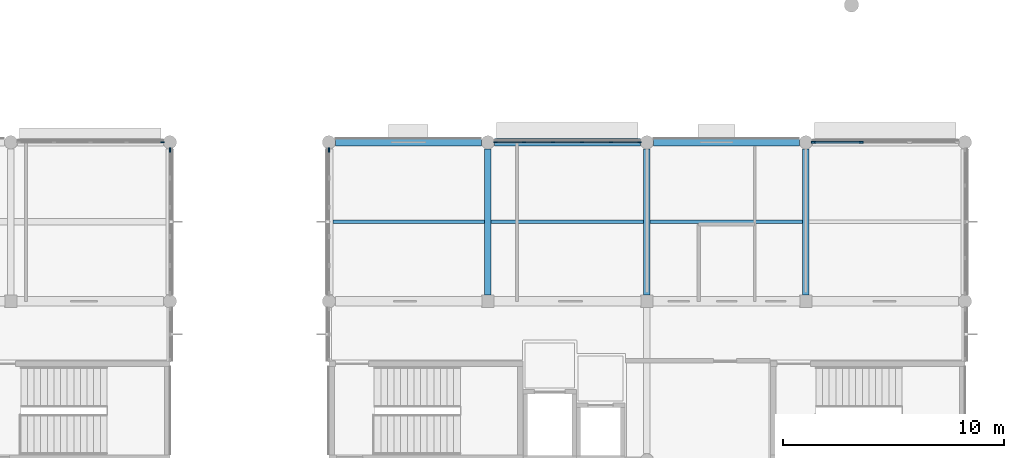
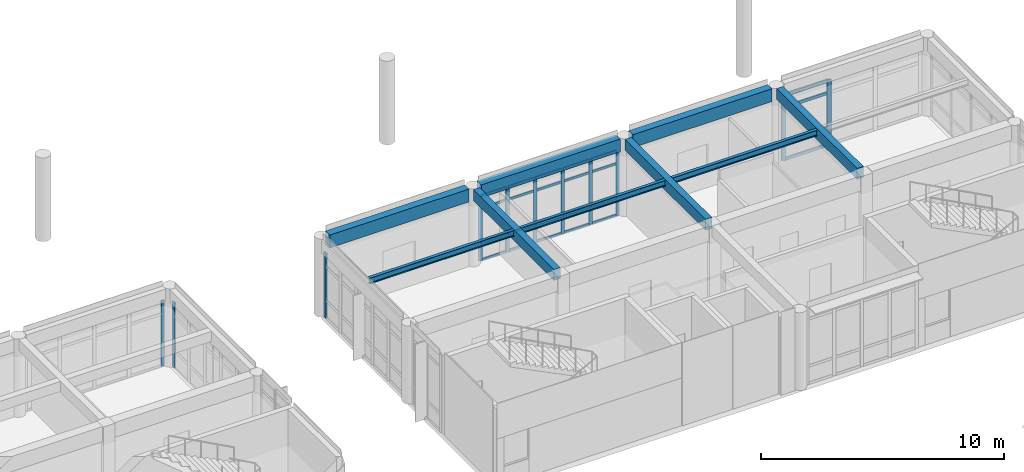
# One storey, part 7 of 29: 35 members, 9 beams, 5 elements without a shape of their own.
"""IFC4 building model written with IfcOpenShell, lengths in metres."""

from ifc_helpers import new_model, si_unit, direction, frame, origin, origin_2d, place, context, subcontext, project, spatial, rectangle, i_section, extrude, material, layer, layer_set, material_profile, profile_set, type_object, element, aggregate, save


model = new_model("IFC4")

# Units and contexts
model_context = context("Model", 3, precision=1e-05, world=origin(), true_north=direction((0.0, 1.0)))
body_context = subcontext(model_context, "Body", "Model", "MODEL_VIEW")
ifc_project = project(units=[si_unit("LENGTHUNIT", "METRE"), si_unit("AREAUNIT", "SQUARE_METRE"), si_unit("VOLUMEUNIT", "CUBIC_METRE"), si_unit("PLANEANGLEUNIT", "RADIAN"), si_unit("MASSUNIT", "GRAM", prefix="KILO")], contexts=[model_context])

# Site, building, storey
site_placement = place(None, origin())
site = spatial("IfcSite", under=ifc_project, at=site_placement, CompositionType="ELEMENT")
building_placement = place(site_placement, origin())
building = spatial("IfcBuilding", under=site, at=building_placement, Name="Namkhue Oval Health Centre", CompositionType="ELEMENT")
storey_placement = place(building_placement, frame((0.0, 0.0, 18.0)))
storey = spatial("IfcBuildingStorey", under=building, at=storey_placement, Name="L04", CompositionType="ELEMENT", Elevation=18.0)

# Curtain wall, member
ifc_material_1 = material(Name="Anodised aluminium EN AW-6063 T6", Category="aluminium")
ifc_layer_1 = layer(ifc_material_1, 0.159912109375)
ifc_layer_set_1 = layer_set([ifc_layer_1], Name="Anodised aluminium EN AW-6063 T6")
curtain_wall_type_1 = type_object("IfcCurtainWallType", Name="UNITISED CURTAIN WALL M1500", PredefinedType="NOTDEFINED", material=ifc_layer_set_1)
curtain_wall_1_placement = place(storey_placement, origin())
curtain_wall_1 = element("IfcCurtainWall", 1, at=curtain_wall_1_placement, inside=storey, type_object=curtain_wall_type_1, Name="Volume V2 L04 Unitised Curtain Wall 81", PredefinedType="NOTDEFINED")
ifc_material_profile_1 = material_profile(ifc_material_1, rectangle(XDim=0.06494140625, YDim=0.159912109375, at=origin_2d()), Name="ALU 65x160")
ifc_profile_set_1 = profile_set([ifc_material_profile_1], Name="Anodised aluminium EN AW-6063 T6")
member_type_1 = type_object("IfcMemberType", Name="CURTAIN WALL MULLION 65X160", PredefinedType="MULLION", material=ifc_profile_set_1)
member_1_placement = place(storey_placement, frame((86.0576171875, 104.39990234375, 0.0), z_axis=(0.0, 0.0, 1.0), x_axis=(0.0, -1.0, 0.0)))
member_1 = element("IfcMember", 2, at=member_1_placement, type_object=member_type_1, Name="CW-03 mullion 1", PredefinedType="MULLION", context=body_context, shape_type="SweptSolid", body=[
    extrude(rectangle(XDim=0.06494140625, YDim=0.159912109375, at=origin_2d()), origin(), (0.0, 0.0, 1.0), 3.2900390625),
])
aggregate(curtain_wall_1, [member_1])

# Curtain wall, members
ifc_layer_2 = layer(ifc_material_1, 0.159912109375)
ifc_layer_set_2 = layer_set([ifc_layer_2], Name="Anodised aluminium EN AW-6063 T6")
curtain_wall_type_2 = type_object("IfcCurtainWallType", Name="UNITISED CURTAIN WALL M1200", PredefinedType="NOTDEFINED", material=ifc_layer_set_2)
curtain_wall_2_placement = place(storey_placement, origin())
curtain_wall_2 = element("IfcCurtainWall", 3, at=curtain_wall_2_placement, inside=storey, type_object=curtain_wall_type_2, Name="Volume V3 L04 Unitised Curtain Wall 127", PredefinedType="NOTDEFINED")
member_2_placement = place(storey_placement, frame((107.657470703125, 104.39990234375, 0.0), z_axis=(0.0, 0.0, 1.0), x_axis=(0.0, -1.0, 0.0)))
member_2 = element("IfcMember", 4, at=member_2_placement, type_object=member_type_1, Name="CW-01 mullion 1", PredefinedType="MULLION", context=body_context, shape_type="SweptSolid", body=[
    extrude(rectangle(XDim=0.06494140625, YDim=0.159912109375, at=origin_2d()), origin(), (0.0, 0.0, 1.0), 3.264892578125),
])
member_3_placement = place(storey_placement, frame((106.3740234375, 104.39990234375, 0.0), z_axis=(0.0, 0.0, 1.0), x_axis=(0.0, -1.0, 0.0)))
member_3 = element("IfcMember", 5, at=member_3_placement, type_object=member_type_1, Name="CW-01 mullion 2", PredefinedType="MULLION", context=body_context, shape_type="SweptSolid", body=[
    extrude(rectangle(XDim=0.06494140625, YDim=0.159912109375, at=origin_2d()), origin(), (0.0, 0.0, 1.0), 3.264892578125),
])
member_4_placement = place(storey_placement, frame((105.05810546875, 104.39990234375, 0.0), z_axis=(0.0, 0.0, 1.0), x_axis=(0.0, -1.0, 0.0)))
member_4 = element("IfcMember", 6, at=member_4_placement, type_object=member_type_1, Name="CW-01 mullion 3", PredefinedType="MULLION", context=body_context, shape_type="SweptSolid", body=[
    extrude(rectangle(XDim=0.06494140625, YDim=0.159912109375, at=origin_2d()), origin(), (0.0, 0.0, 1.0), 3.264892578125),
])
member_5_placement = place(storey_placement, frame((103.741943359375, 104.39990234375, 0.0), z_axis=(0.0, 0.0, 1.0), x_axis=(0.0, -1.0, 0.0)))
member_5 = element("IfcMember", 7, at=member_5_placement, type_object=member_type_1, Name="CW-01 mullion 4", PredefinedType="MULLION", context=body_context, shape_type="SweptSolid", body=[
    extrude(rectangle(XDim=0.06494140625, YDim=0.159912109375, at=origin_2d()), origin(), (0.0, 0.0, 1.0), 3.264892578125),
])
member_6_placement = place(storey_placement, frame((102.426025390625, 104.39990234375, 0.0), z_axis=(0.0, 0.0, 1.0), x_axis=(0.0, -1.0, 0.0)))
member_6 = element("IfcMember", 8, at=member_6_placement, type_object=member_type_1, Name="CW-01 mullion 5", PredefinedType="MULLION", context=body_context, shape_type="SweptSolid", body=[
    extrude(rectangle(XDim=0.06494140625, YDim=0.159912109375, at=origin_2d()), origin(), (0.0, 0.0, 1.0), 3.264892578125),
])
member_7_placement = place(storey_placement, frame((101.142578125, 104.39990234375, 0.0), z_axis=(0.0, 0.0, 1.0), x_axis=(0.0, -1.0, 0.0)))
member_7 = element("IfcMember", 9, at=member_7_placement, type_object=member_type_1, Name="CW-01 mullion 6", PredefinedType="MULLION", context=body_context, shape_type="SweptSolid", body=[
    extrude(rectangle(XDim=0.06494140625, YDim=0.159912109375, at=origin_2d()), origin(), (0.0, 0.0, 1.0), 3.264892578125),
])

# Curtain wall, member
ifc_layer_3 = layer(ifc_material_1, 0.159912109375)
ifc_layer_set_3 = layer_set([ifc_layer_3], Name="Anodised aluminium EN AW-6063 T6")
curtain_wall_type_3 = type_object("IfcCurtainWallType", Name="UNITISED CURTAIN WALL M1350", PredefinedType="NOTDEFINED", material=ifc_layer_set_3)
curtain_wall_3_placement = place(storey_placement, origin())
curtain_wall_3 = element("IfcCurtainWall", 10, at=curtain_wall_3_placement, inside=storey, type_object=curtain_wall_type_3, Name="Volume V2 L04 Unitised Curtain Wall 80", PredefinedType="NOTDEFINED")
ifc_material_profile_2 = material_profile(ifc_material_1, rectangle(XDim=0.074951171875, YDim=0.199951171875, at=origin_2d()), Name="ALU 75x200")
ifc_profile_set_2 = profile_set([ifc_material_profile_2], Name="Anodised aluminium EN AW-6063 T6")
member_type_2 = type_object("IfcMemberType", Name="CURTAIN WALL MULLION 75X200", PredefinedType="MULLION", material=ifc_profile_set_2)
member_8_placement = place(storey_placement, frame((86.39990234375, 104.052490234375, 0.0), z_axis=(0.0, 0.0, 1.0), x_axis=(-1.0, 0.0, 0.0)))
member_8 = element("IfcMember", 11, at=member_8_placement, type_object=member_type_2, Name="CW-02 mullion 6", PredefinedType="MULLION", context=body_context, shape_type="SweptSolid", body=[
    extrude(rectangle(XDim=0.074951171875, YDim=0.199951171875, at=origin_2d()), origin(), (0.0, 0.0, 1.0), 3.2900390625),
])
aggregate(curtain_wall_3, [member_8])

# Curtain wall, members
ifc_layer_4 = layer(ifc_material_1, 0.159912109375)
ifc_layer_set_4 = layer_set([ifc_layer_4], Name="Anodised aluminium EN AW-6063 T6")
curtain_wall_type_4 = type_object("IfcCurtainWallType", Name="UNITISED CURTAIN WALL M2000", PredefinedType="NOTDEFINED", material=ifc_layer_set_4)
curtain_wall_4_placement = place(storey_placement, origin())
curtain_wall_4 = element("IfcCurtainWall", 12, at=curtain_wall_4_placement, inside=storey, type_object=curtain_wall_type_4, Name="Volume V3 L04 Unitised Curtain Wall 126", PredefinedType="NOTDEFINED")
member_9_placement = place(storey_placement, frame((117.703369140625, 104.39990234375, 0.0), z_axis=(0.0, 0.0, 1.0), x_axis=(0.0, -1.0, 0.0)))
member_9 = element("IfcMember", 13, at=member_9_placement, type_object=member_type_2, Name="CW-06 mullion 3", PredefinedType="MULLION", context=body_context, shape_type="SweptSolid", body=[
    extrude(rectangle(XDim=0.074951171875, YDim=0.199951171875, at=origin_2d()), origin(), (0.0, 0.0, 1.0), 3.302001953125),
])
member_10_placement = place(storey_placement, frame((115.547607421875, 104.39990234375, 0.0), z_axis=(0.0, 0.0, 1.0), x_axis=(0.0, -1.0, 0.0)))
member_10 = element("IfcMember", 14, at=member_10_placement, type_object=member_type_2, Name="CW-06 mullion 4", PredefinedType="MULLION", context=body_context, shape_type="SweptSolid", body=[
    extrude(rectangle(XDim=0.074951171875, YDim=0.199951171875, at=origin_2d()), origin(), (0.0, 0.0, 1.0), 3.302001953125),
])

# Curtain wall, member
curtain_wall_5_placement = place(storey_placement, origin())
curtain_wall_5 = element("IfcCurtainWall", 15, at=curtain_wall_5_placement, inside=storey, type_object=curtain_wall_type_3, Name="Volume V3 L04 Unitised Curtain Wall 128", PredefinedType="NOTDEFINED")
member_11_placement = place(storey_placement, frame((93.60009765625, 104.052490234375, 0.0), z_axis=(0.0, 0.0, 1.0), x_axis=(1.0, 0.0, 0.0)))
member_11 = element("IfcMember", 16, at=member_11_placement, type_object=member_type_2, Name="CW-02 mullion 1", PredefinedType="MULLION", context=body_context, shape_type="SweptSolid", body=[
    extrude(rectangle(XDim=0.074951171875, YDim=0.199951171875, at=origin_2d()), origin(), (0.0, 0.0, 1.0), 3.264892578125),
])
aggregate(curtain_wall_5, [member_11])

# Member
ifc_material_profile_3 = material_profile(ifc_material_1, rectangle(XDim=0.06494140625, YDim=0.1201171875, at=origin_2d()), Name="ALU 65x120")
ifc_profile_set_3 = profile_set([ifc_material_profile_3], Name="Anodised aluminium EN AW-6063 T6")
member_type_3 = type_object("IfcMemberType", Name="CURTAIN WALL TRANSOM 65X120", PredefinedType="USERDEFINED", material=ifc_profile_set_3)
member_12_placement = place(storey_placement, frame((107.625, 104.39990234375, 0.032470703125), z_axis=(-1.0, 0.0, 0.0), x_axis=(0.0, -1.0, 0.0)))
member_12 = element("IfcMember", 17, at=member_12_placement, type_object=member_type_3, Name="CW-01 transom 1.1", ObjectType="TRANSOM", PredefinedType="USERDEFINED", context=body_context, shape_type="SweptSolid", body=[
    extrude(rectangle(XDim=0.06494140625, YDim=0.1201171875, at=origin_2d()), origin(), (0.0, 0.0, 1.0), 1.218505859375),
])

member_13_placement = place(storey_placement, frame((107.625, 104.39990234375, 0.89990234375), z_axis=(-1.0, 0.0, 0.0), x_axis=(0.0, -1.0, 0.0)))
member_13 = element("IfcMember", 18, at=member_13_placement, type_object=member_type_3, Name="CW-01 transom 1.2", ObjectType="TRANSOM", PredefinedType="USERDEFINED", context=body_context, shape_type="SweptSolid", body=[
    extrude(rectangle(XDim=0.06494140625, YDim=0.1201171875, at=origin_2d()), origin(), (0.0, 0.0, 1.0), 1.218505859375),
])

member_14_placement = place(storey_placement, frame((107.625, 104.39990234375, 2.614990234375), z_axis=(-1.0, 0.0, 0.0), x_axis=(0.0, -1.0, 0.0)))
member_14 = element("IfcMember", 19, at=member_14_placement, type_object=member_type_3, Name="CW-01 transom 1.3", ObjectType="TRANSOM", PredefinedType="USERDEFINED", context=body_context, shape_type="SweptSolid", body=[
    extrude(rectangle(XDim=0.06494140625, YDim=0.1201171875, at=origin_2d()), origin(), (0.0, 0.0, 1.0), 1.218505859375),
])

member_15_placement = place(storey_placement, frame((107.625, 104.39990234375, 3.232421875), z_axis=(-1.0, 0.0, 0.0), x_axis=(0.0, -1.0, 0.0)))
member_15 = element("IfcMember", 20, at=member_15_placement, type_object=member_type_3, Name="CW-01 transom 1.4", ObjectType="TRANSOM", PredefinedType="USERDEFINED", context=body_context, shape_type="SweptSolid", body=[
    extrude(rectangle(XDim=0.06494140625, YDim=0.1201171875, at=origin_2d()), origin(), (0.0, 0.0, 1.0), 1.218505859375),
])

member_16_placement = place(storey_placement, frame((106.341552734375, 104.39990234375, 0.032470703125), z_axis=(-1.0, 0.0, 0.0), x_axis=(0.0, -1.0, 0.0)))
member_16 = element("IfcMember", 21, at=member_16_placement, type_object=member_type_3, Name="CW-01 transom 2.1", ObjectType="TRANSOM", PredefinedType="USERDEFINED", context=body_context, shape_type="SweptSolid", body=[
    extrude(rectangle(XDim=0.06494140625, YDim=0.1201171875, at=origin_2d()), origin(), (0.0, 0.0, 1.0), 1.2509765625),
])

member_17_placement = place(storey_placement, frame((106.341552734375, 104.39990234375, 0.89990234375), z_axis=(-1.0, 0.0, 0.0), x_axis=(0.0, -1.0, 0.0)))
member_17 = element("IfcMember", 22, at=member_17_placement, type_object=member_type_3, Name="CW-01 transom 2.2", ObjectType="TRANSOM", PredefinedType="USERDEFINED", context=body_context, shape_type="SweptSolid", body=[
    extrude(rectangle(XDim=0.06494140625, YDim=0.1201171875, at=origin_2d()), origin(), (0.0, 0.0, 1.0), 1.2509765625),
])

member_18_placement = place(storey_placement, frame((106.341552734375, 104.39990234375, 2.614990234375), z_axis=(-1.0, 0.0, 0.0), x_axis=(0.0, -1.0, 0.0)))
member_18 = element("IfcMember", 23, at=member_18_placement, type_object=member_type_3, Name="CW-01 transom 2.3", ObjectType="TRANSOM", PredefinedType="USERDEFINED", context=body_context, shape_type="SweptSolid", body=[
    extrude(rectangle(XDim=0.06494140625, YDim=0.1201171875, at=origin_2d()), origin(), (0.0, 0.0, 1.0), 1.2509765625),
])

member_19_placement = place(storey_placement, frame((106.341552734375, 104.39990234375, 3.232421875), z_axis=(-1.0, 0.0, 0.0), x_axis=(0.0, -1.0, 0.0)))
member_19 = element("IfcMember", 24, at=member_19_placement, type_object=member_type_3, Name="CW-01 transom 2.4", ObjectType="TRANSOM", PredefinedType="USERDEFINED", context=body_context, shape_type="SweptSolid", body=[
    extrude(rectangle(XDim=0.06494140625, YDim=0.1201171875, at=origin_2d()), origin(), (0.0, 0.0, 1.0), 1.2509765625),
])

member_20_placement = place(storey_placement, frame((105.025390625, 104.39990234375, 0.032470703125), z_axis=(-1.0, 0.0, 0.0), x_axis=(0.0, -1.0, 0.0)))
member_20 = element("IfcMember", 25, at=member_20_placement, type_object=member_type_3, Name="CW-01 transom 3.1", ObjectType="TRANSOM", PredefinedType="USERDEFINED", context=body_context, shape_type="SweptSolid", body=[
    extrude(rectangle(XDim=0.06494140625, YDim=0.1201171875, at=origin_2d()), origin(), (0.0, 0.0, 1.0), 1.2509765625),
])

member_21_placement = place(storey_placement, frame((105.025390625, 104.39990234375, 0.89990234375), z_axis=(-1.0, 0.0, 0.0), x_axis=(0.0, -1.0, 0.0)))
member_21 = element("IfcMember", 26, at=member_21_placement, type_object=member_type_3, Name="CW-01 transom 3.2", ObjectType="TRANSOM", PredefinedType="USERDEFINED", context=body_context, shape_type="SweptSolid", body=[
    extrude(rectangle(XDim=0.06494140625, YDim=0.1201171875, at=origin_2d()), origin(), (0.0, 0.0, 1.0), 1.2509765625),
])

member_22_placement = place(storey_placement, frame((105.025390625, 104.39990234375, 2.614990234375), z_axis=(-1.0, 0.0, 0.0), x_axis=(0.0, -1.0, 0.0)))
member_22 = element("IfcMember", 27, at=member_22_placement, type_object=member_type_3, Name="CW-01 transom 3.3", ObjectType="TRANSOM", PredefinedType="USERDEFINED", context=body_context, shape_type="SweptSolid", body=[
    extrude(rectangle(XDim=0.06494140625, YDim=0.1201171875, at=origin_2d()), origin(), (0.0, 0.0, 1.0), 1.2509765625),
])

member_23_placement = place(storey_placement, frame((105.025390625, 104.39990234375, 3.232421875), z_axis=(-1.0, 0.0, 0.0), x_axis=(0.0, -1.0, 0.0)))
member_23 = element("IfcMember", 28, at=member_23_placement, type_object=member_type_3, Name="CW-01 transom 3.4", ObjectType="TRANSOM", PredefinedType="USERDEFINED", context=body_context, shape_type="SweptSolid", body=[
    extrude(rectangle(XDim=0.06494140625, YDim=0.1201171875, at=origin_2d()), origin(), (0.0, 0.0, 1.0), 1.2509765625),
])

member_24_placement = place(storey_placement, frame((103.70947265625, 104.39990234375, 0.032470703125), z_axis=(-1.0, 0.0, 0.0), x_axis=(0.0, -1.0, 0.0)))
member_24 = element("IfcMember", 29, at=member_24_placement, type_object=member_type_3, Name="CW-01 transom 4.1", ObjectType="TRANSOM", PredefinedType="USERDEFINED", context=body_context, shape_type="SweptSolid", body=[
    extrude(rectangle(XDim=0.06494140625, YDim=0.1201171875, at=origin_2d()), origin(), (0.0, 0.0, 1.0), 1.2509765625),
])

member_25_placement = place(storey_placement, frame((103.70947265625, 104.39990234375, 0.89990234375), z_axis=(-1.0, 0.0, 0.0), x_axis=(0.0, -1.0, 0.0)))
member_25 = element("IfcMember", 30, at=member_25_placement, type_object=member_type_3, Name="CW-01 transom 4.2", ObjectType="TRANSOM", PredefinedType="USERDEFINED", context=body_context, shape_type="SweptSolid", body=[
    extrude(rectangle(XDim=0.06494140625, YDim=0.1201171875, at=origin_2d()), origin(), (0.0, 0.0, 1.0), 1.2509765625),
])

member_26_placement = place(storey_placement, frame((103.70947265625, 104.39990234375, 2.614990234375), z_axis=(-1.0, 0.0, 0.0), x_axis=(0.0, -1.0, 0.0)))
member_26 = element("IfcMember", 31, at=member_26_placement, type_object=member_type_3, Name="CW-01 transom 4.3", ObjectType="TRANSOM", PredefinedType="USERDEFINED", context=body_context, shape_type="SweptSolid", body=[
    extrude(rectangle(XDim=0.06494140625, YDim=0.1201171875, at=origin_2d()), origin(), (0.0, 0.0, 1.0), 1.2509765625),
])

member_27_placement = place(storey_placement, frame((103.70947265625, 104.39990234375, 3.232421875), z_axis=(-1.0, 0.0, 0.0), x_axis=(0.0, -1.0, 0.0)))
member_27 = element("IfcMember", 32, at=member_27_placement, type_object=member_type_3, Name="CW-01 transom 4.4", ObjectType="TRANSOM", PredefinedType="USERDEFINED", context=body_context, shape_type="SweptSolid", body=[
    extrude(rectangle(XDim=0.06494140625, YDim=0.1201171875, at=origin_2d()), origin(), (0.0, 0.0, 1.0), 1.2509765625),
])

member_28_placement = place(storey_placement, frame((102.3935546875, 104.39990234375, 0.032470703125), z_axis=(-1.0, 0.0, 0.0), x_axis=(0.0, -1.0, 0.0)))
member_28 = element("IfcMember", 33, at=member_28_placement, type_object=member_type_3, Name="CW-01 transom 5.1", ObjectType="TRANSOM", PredefinedType="USERDEFINED", context=body_context, shape_type="SweptSolid", body=[
    extrude(rectangle(XDim=0.06494140625, YDim=0.1201171875, at=origin_2d()), origin(), (0.0, 0.0, 1.0), 1.218505859375),
])

member_29_placement = place(storey_placement, frame((102.3935546875, 104.39990234375, 0.89990234375), z_axis=(-1.0, 0.0, 0.0), x_axis=(0.0, -1.0, 0.0)))
member_29 = element("IfcMember", 34, at=member_29_placement, type_object=member_type_3, Name="CW-01 transom 5.2", ObjectType="TRANSOM", PredefinedType="USERDEFINED", context=body_context, shape_type="SweptSolid", body=[
    extrude(rectangle(XDim=0.06494140625, YDim=0.1201171875, at=origin_2d()), origin(), (0.0, 0.0, 1.0), 1.218505859375),
])

member_30_placement = place(storey_placement, frame((102.3935546875, 104.39990234375, 2.614990234375), z_axis=(-1.0, 0.0, 0.0), x_axis=(0.0, -1.0, 0.0)))
member_30 = element("IfcMember", 35, at=member_30_placement, type_object=member_type_3, Name="CW-01 transom 5.3", ObjectType="TRANSOM", PredefinedType="USERDEFINED", context=body_context, shape_type="SweptSolid", body=[
    extrude(rectangle(XDim=0.06494140625, YDim=0.1201171875, at=origin_2d()), origin(), (0.0, 0.0, 1.0), 1.218505859375),
])

member_31_placement = place(storey_placement, frame((102.3935546875, 104.39990234375, 3.232421875), z_axis=(-1.0, 0.0, 0.0), x_axis=(0.0, -1.0, 0.0)))
member_31 = element("IfcMember", 36, at=member_31_placement, type_object=member_type_3, Name="CW-01 transom 5.4", ObjectType="TRANSOM", PredefinedType="USERDEFINED", context=body_context, shape_type="SweptSolid", body=[
    extrude(rectangle(XDim=0.06494140625, YDim=0.1201171875, at=origin_2d()), origin(), (0.0, 0.0, 1.0), 1.218505859375),
])

aggregate(curtain_wall_2, [member_2, member_3, member_4, member_5, member_6, member_7, member_12, member_13, member_14, member_15, member_16, member_17, member_18, member_19, member_20, member_21, member_22, member_23, member_24, member_25, member_26, member_27, member_28, member_29, member_30, member_31])

ifc_material_profile_4 = material_profile(ifc_material_1, rectangle(XDim=0.074951171875, YDim=0.14990234375, at=origin_2d()), Name="ALU 75x150")
ifc_profile_set_4 = profile_set([ifc_material_profile_4], Name="Anodised aluminium EN AW-6063 T6")
member_type_4 = type_object("IfcMemberType", Name="CURTAIN WALL TRANSOM 75X150", PredefinedType="USERDEFINED", material=ifc_profile_set_4)
member_32_placement = place(storey_placement, frame((117.665771484375, 104.39990234375, 0.03759765625), z_axis=(-1.0, 0.0, 0.0), x_axis=(0.0, -1.0, 0.0)))
member_32 = element("IfcMember", 37, at=member_32_placement, type_object=member_type_4, Name="CW-06 transom 3.1", ObjectType="TRANSOM", PredefinedType="USERDEFINED", context=body_context, shape_type="SweptSolid", body=[
    extrude(rectangle(XDim=0.074951171875, YDim=0.14990234375, at=origin_2d()), origin(), (0.0, 0.0, 1.0), 2.080810546875),
])

member_33_placement = place(storey_placement, frame((117.665771484375, 104.39990234375, 0.89990234375), z_axis=(-1.0, 0.0, 0.0), x_axis=(0.0, -1.0, 0.0)))
member_33 = element("IfcMember", 38, at=member_33_placement, type_object=member_type_4, Name="CW-06 transom 3.2", ObjectType="TRANSOM", PredefinedType="USERDEFINED", context=body_context, shape_type="SweptSolid", body=[
    extrude(rectangle(XDim=0.074951171875, YDim=0.14990234375, at=origin_2d()), origin(), (0.0, 0.0, 1.0), 2.080810546875),
])

member_34_placement = place(storey_placement, frame((117.665771484375, 104.39990234375, 2.652099609375), z_axis=(-1.0, 0.0, 0.0), x_axis=(0.0, -1.0, 0.0)))
member_34 = element("IfcMember", 39, at=member_34_placement, type_object=member_type_4, Name="CW-06 transom 3.3", ObjectType="TRANSOM", PredefinedType="USERDEFINED", context=body_context, shape_type="SweptSolid", body=[
    extrude(rectangle(XDim=0.074951171875, YDim=0.14990234375, at=origin_2d()), origin(), (0.0, 0.0, 1.0), 2.080810546875),
])

member_35_placement = place(storey_placement, frame((117.665771484375, 104.39990234375, 3.264404296875), z_axis=(-1.0, 0.0, 0.0), x_axis=(0.0, -1.0, 0.0)))
member_35 = element("IfcMember", 40, at=member_35_placement, type_object=member_type_4, Name="CW-06 transom 3.4", ObjectType="TRANSOM", PredefinedType="USERDEFINED", context=body_context, shape_type="SweptSolid", body=[
    extrude(rectangle(XDim=0.074951171875, YDim=0.14990234375, at=origin_2d()), origin(), (0.0, 0.0, 1.0), 2.080810546875),
])

aggregate(curtain_wall_4, [member_9, member_10, member_32, member_33, member_34, member_35])

# Beams
ifc_material_2 = material(Name="Reinforced concrete C30/37 (TCVN B35)", Category="concrete")
ifc_material_profile_5 = material_profile(ifc_material_2, rectangle(XDim=0.300048828125, YDim=0.550048828125, at=origin_2d()), Name="RC 300x550")
ifc_profile_set_5 = profile_set([ifc_material_profile_5], Name="Reinforced concrete C30/37 (TCVN B35)")
beam_type_1 = type_object("IfcBeamType", Name="FLOOR BEAM RC 300X550", PredefinedType="BEAM", material=ifc_profile_set_5)
for number, where, z_axis, x_axis, name in (
    (41, (100.800048828125, 97.47509765625, 3.639892578125), (0.0, 1.0, 0.0), (-1.0, 0.0, 0.0), "Volume V3 L05 Beam 15/O-P"),
    (42, (108.0, 97.47509765625, 3.639892578125), (0.0, 1.0, 0.0), (-1.0, 0.0, 0.0), "Volume V3 L05 Beam 16/O-P"),
    (43, (115.199951171875, 97.47509765625, 3.677001953125), (0.0, 1.0, 0.0), (-1.0, 0.0, 0.0), "Volume V3 L05 Beam 17/O-P"),
):
    element("IfcBeam", number, at=place(storey_placement, frame(where, z_axis=z_axis, x_axis=x_axis)), inside=storey, type_object=beam_type_1, Name=name, PredefinedType="BEAM", context=body_context, shape_type="SweptSolid", body=[
        extrude(rectangle(XDim=0.300048828125, YDim=0.550048828125, at=origin_2d()), origin(), (0.0, 0.0, 1.0), 6.625),
    ])
ifc_material_3 = material(Name="Reinforced concrete C35/45 (TCVN B40)", Category="concrete")
ifc_material_profile_6 = material_profile(ifc_material_3, rectangle(XDim=0.35009765625, YDim=0.64990234375, at=origin_2d()), Name="RC 350x650")
ifc_profile_set_6 = profile_set([ifc_material_profile_6], Name="Reinforced concrete C35/45 (TCVN B40)")
beam_type_2 = type_object("IfcBeamType", Name="PERIMETER SPANDREL BEAM 350X650", PredefinedType="SPANDREL", material=ifc_profile_set_6)
beam_1_placement = place(storey_placement, frame((93.89990234375, 104.39990234375, 3.590087890625), z_axis=(1.0, 0.0, 0.0), x_axis=(0.0, 1.0, 0.0)))
element("IfcBeam", 44, at=beam_1_placement, inside=storey, type_object=beam_type_2, Name="Volume V3 L05 Girder P/14-15", PredefinedType="SPANDREL", context=body_context, shape_type="SweptSolid", body=[
    extrude(rectangle(XDim=0.35009765625, YDim=0.64990234375, at=origin_2d()), origin(), (0.0, 0.0, 1.0), 6.60009765625),
])
for number, where, z_axis, x_axis, name in (
    (45, (101.10009765625, 104.39990234375, 3.590087890625), (1.0, 0.0, 0.0), (0.0, 1.0, 0.0), "Volume V3 L05 Girder P/15-16"),
    (46, (108.300048828125, 104.39990234375, 3.590087890625), (1.0, 0.0, 0.0), (0.0, 1.0, 0.0), "Volume V3 L05 Girder P/16-17"),
):
    element("IfcBeam", number, at=place(storey_placement, frame(where, z_axis=z_axis, x_axis=x_axis)), inside=storey, type_object=beam_type_2, Name=name, PredefinedType="SPANDREL", context=body_context, shape_type="SweptSolid", body=[
        extrude(rectangle(XDim=0.35009765625, YDim=0.64990234375, at=origin_2d()), origin(), (0.0, 0.0, 1.0), 6.599853515625),
    ])
ifc_material_4 = material(Name="Structural steel EN 10025-2 S355JR (TCVN 5575:2024)", Category="steel")
ifc_material_profile_7 = material_profile(ifc_material_4, i_section(OverallWidth=0.14990234375, OverallDepth=0.300048828125, WebThickness=0.007080078125, FlangeThickness=0.0107421875, FilletRadius=0.014892578125, at=origin_2d()), Name="IPE 300")
ifc_profile_set_7 = profile_set([ifc_material_profile_7], Name="Structural steel EN 10025-2 S355JR (TCVN 5575:2024)")
beam_type_3 = type_object("IfcBeamType", Name="SECONDARY JOIST STEEL IPE 300", PredefinedType="JOIST", material=ifc_profile_set_7)
beam_2_placement = place(storey_placement, frame((93.77490234375, 100.800048828125, 3.764892578125), z_axis=(1.0, 0.0, 0.0), x_axis=(0.0, 1.0, 0.0)))
element("IfcBeam", 47, at=beam_2_placement, inside=storey, type_object=beam_type_3, Name="Volume V3 L05 Secondary Joist 14-15", PredefinedType="JOIST", context=body_context, shape_type="SweptSolid", body=[
    extrude(i_section(OverallWidth=0.14990234375, OverallDepth=0.300048828125, WebThickness=0.007080078125, FlangeThickness=0.0107421875, FilletRadius=0.014892578125, at=origin_2d()), origin(), (0.0, 0.0, 1.0), 6.875),
])
for number, where, z_axis, x_axis, name in (
    (48, (100.949951171875, 100.800048828125, 3.764892578125), (1.0, 0.0, 0.0), (0.0, 1.0, 0.0), "Volume V3 L05 Secondary Joist 15-16"),
    (49, (108.14990234375, 100.800048828125, 3.764892578125), (1.0, 0.0, 0.0), (0.0, 1.0, 0.0), "Volume V3 L05 Secondary Joist 16-17"),
):
    element("IfcBeam", number, at=place(storey_placement, frame(where, z_axis=z_axis, x_axis=x_axis)), inside=storey, type_object=beam_type_3, Name=name, PredefinedType="JOIST", context=body_context, shape_type="SweptSolid", body=[
        extrude(i_section(OverallWidth=0.14990234375, OverallDepth=0.300048828125, WebThickness=0.007080078125, FlangeThickness=0.0107421875, FilletRadius=0.014892578125, at=origin_2d()), origin(), (0.0, 0.0, 1.0), 6.900146484375),
    ])

save(model, "model.ifc")
